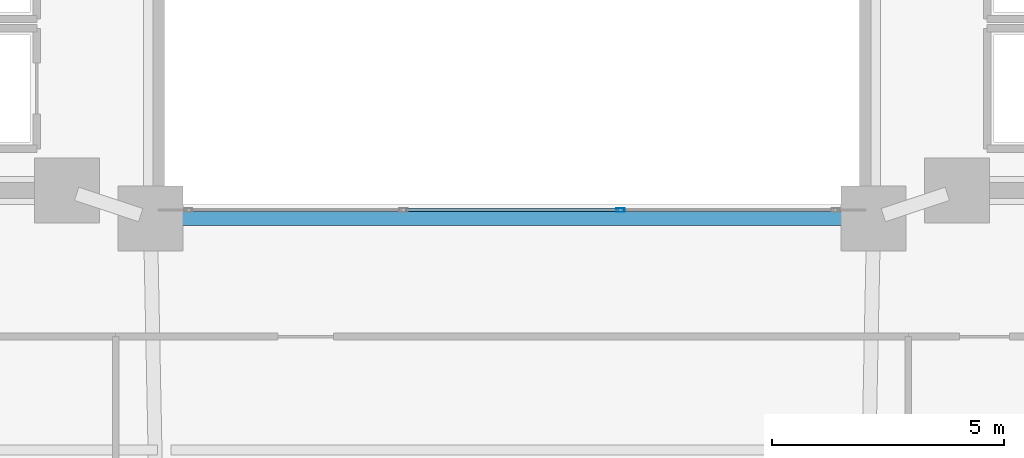
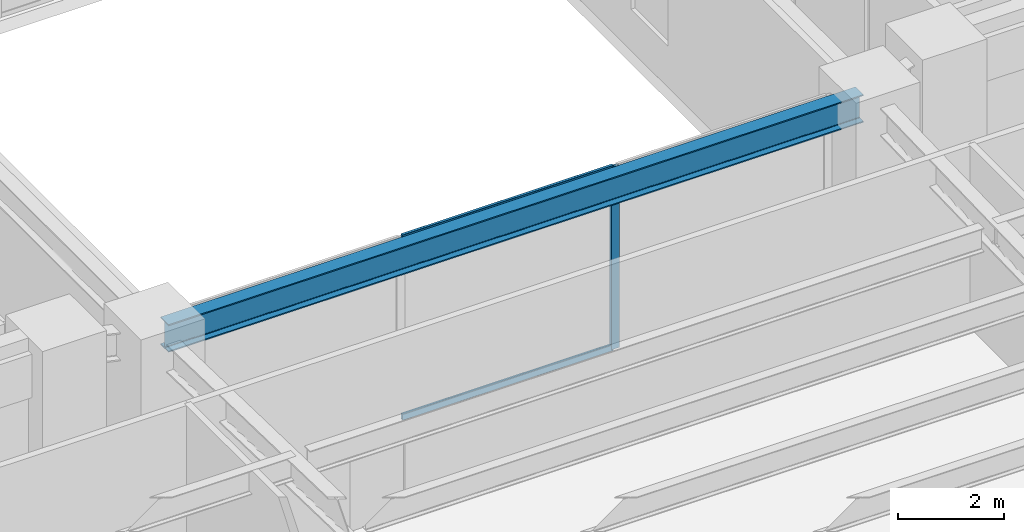
# One storey, part 9 of 40: 3 members, 1 beam, 1 element without a shape of its own.
"""IFC4 building model written with IfcOpenShell, lengths in metres."""

from ifc_helpers import new_model, si_unit, direction, frame, origin, origin_2d, place, context, subcontext, project, spatial, hollow_rectangle, i_section, extrude, material, layer, layer_set, material_profile, profile_set, type_object, element, aggregate, save


model = new_model("IFC4")

# Units and contexts
model_context = context("Model", 3, precision=1e-05, world=origin(), true_north=direction((0.0, 1.0)))
body_context = subcontext(model_context, "Body", "Model", "MODEL_VIEW")
ifc_project = project(units=[si_unit("LENGTHUNIT", "METRE"), si_unit("AREAUNIT", "SQUARE_METRE"), si_unit("VOLUMEUNIT", "CUBIC_METRE"), si_unit("PLANEANGLEUNIT", "RADIAN"), si_unit("MASSUNIT", "GRAM", prefix="KILO")], contexts=[model_context])

# Site, building, storey
site_placement = place(None, origin())
site = spatial("IfcSite", under=ifc_project, at=site_placement, CompositionType="ELEMENT")
building_placement = place(site_placement, origin())
building = spatial("IfcBuilding", under=site, at=building_placement, Name="Tarnavaz Court Tower", CompositionType="ELEMENT")
storey_placement = place(building_placement, frame((0.0, 0.0, 64.199951171875)))
storey = spatial("IfcBuildingStorey", under=building, at=storey_placement, Name="L17", CompositionType="ELEMENT", Elevation=64.199951171875)

# Beam
ifc_material_1 = material(Name="Steel S355", Category="steel")
ifc_material_profile_1 = material_profile(ifc_material_1, i_section(OverallWidth=0.300048828125, OverallDepth=0.639892578125, WebThickness=0.013427734375, FlangeThickness=0.02587890625, FilletRadius=0.027099609375, at=origin_2d()), Name="HEA 650")
ifc_profile_set_1 = profile_set([ifc_material_profile_1], Name="Steel S355")
beam_type = type_object("IfcBeamType", Name="BM-SP-HEA650", PredefinedType="SPANDREL", material=ifc_profile_set_1)
beam_placement = place(storey_placement, frame((-7.580078125, -7.800048828125, 3.880126953125), z_axis=(1.0, 0.0, 0.0), x_axis=(0.0, 1.0, 0.0)))
element("IfcBeam", 1, at=beam_placement, inside=storey, type_object=beam_type, Name="L17 Beam IN-IW-SW-IW-SE", PredefinedType="SPANDREL", context=body_context, shape_type="SweptSolid", body=[
    extrude(i_section(OverallWidth=0.300048828125, OverallDepth=0.639892578125, WebThickness=0.013427734375, FlangeThickness=0.02587890625, FilletRadius=0.027099609375, at=origin_2d()), origin(), (0.0, 0.0, 1.0), 15.16015625),
])

# Curtain wall, members
ifc_material_2 = material(Name="Anodised Aluminium 6063-T6 and Solar Low-E Glazing", Category="aluminium")
ifc_layer = layer(ifc_material_2, 0.139892578125)
ifc_layer_set = layer_set([ifc_layer], Name="Anodised Aluminium 6063-T6 and Solar Low-E Glazing")
curtain_wall_type = type_object("IfcCurtainWallType", Name="CW-SYS-04", PredefinedType="NOTDEFINED", material=ifc_layer_set)
curtain_wall_placement = place(storey_placement, origin())
curtain_wall = element("IfcCurtainWall", 2, at=curtain_wall_placement, inside=storey, type_object=curtain_wall_type, Name="L17 Badgir Courtyard Curtain Wall S", PredefinedType="NOTDEFINED")
ifc_material_3 = material(Name="Anodised Aluminium 6063-T6", Category="aluminium")
ifc_material_profile_2 = material_profile(ifc_material_3, hollow_rectangle(XDim=0.074951171875, YDim=0.179931640625, WallThickness=0.0048828125, InnerFilletRadius=0.0048828125, OuterFilletRadius=0.010009765625, at=origin_2d()), Name="ALU RHS 180X75X5")
ifc_profile_set_2 = profile_set([ifc_material_profile_2], Name="Anodised Aluminium 6063-T6")
member_type_1 = type_object("IfcMemberType", Name="CW-MUL-180", PredefinedType="MULLION", material=ifc_profile_set_2)
member_1_placement = place(storey_placement, frame((2.340087890625, -7.6201171875, 0.0), z_axis=(0.0, 0.0, 1.0), x_axis=(0.0, 1.0, 0.0)))
member_1 = element("IfcMember", 3, at=member_1_placement, type_object=member_type_1, Name="CW mullion 3", PredefinedType="MULLION", context=body_context, shape_type="SweptSolid", body=[
    extrude(hollow_rectangle(XDim=0.074951171875, YDim=0.179931640625, WallThickness=0.0048828125, InnerFilletRadius=0.0048828125, OuterFilletRadius=0.010009765625, at=origin_2d()), origin(), (0.0, 0.0, 1.0), 4.199951171875),
])
ifc_material_profile_3 = material_profile(ifc_material_3, hollow_rectangle(XDim=0.06494140625, YDim=0.139892578125, WallThickness=0.00390625, InnerFilletRadius=0.00390625, OuterFilletRadius=0.008056640625, at=origin_2d()), Name="ALU RHS 140X65X4")
ifc_profile_set_3 = profile_set([ifc_material_profile_3], Name="Anodised Aluminium 6063-T6")
member_type_2 = type_object("IfcMemberType", Name="CW-TRN-140", PredefinedType="USERDEFINED", material=ifc_profile_set_3)
member_2_placement = place(storey_placement, frame((-2.302490234375, -7.6201171875, 0.032470703125), z_axis=(1.0, 0.0, 0.0), x_axis=(0.0, 1.0, 0.0)))
member_2 = element("IfcMember", 4, at=member_2_placement, type_object=member_type_2, Name="CW transom 2.1", ObjectType="TRANSOM", PredefinedType="USERDEFINED", context=body_context, shape_type="SweptSolid", body=[
    extrude(hollow_rectangle(XDim=0.06494140625, YDim=0.139892578125, WallThickness=0.00390625, InnerFilletRadius=0.00390625, OuterFilletRadius=0.008056640625, at=origin_2d()), origin(), (0.0, 0.0, 1.0), 4.60498046875),
])
member_3_placement = place(storey_placement, frame((-2.302490234375, -7.6201171875, 4.16748046875), z_axis=(1.0, 0.0, 0.0), x_axis=(0.0, 1.0, 0.0)))
member_3 = element("IfcMember", 5, at=member_3_placement, type_object=member_type_2, Name="CW transom 2.2", ObjectType="TRANSOM", PredefinedType="USERDEFINED", context=body_context, shape_type="SweptSolid", body=[
    extrude(hollow_rectangle(XDim=0.06494140625, YDim=0.139892578125, WallThickness=0.00390625, InnerFilletRadius=0.00390625, OuterFilletRadius=0.008056640625, at=origin_2d()), origin(), (0.0, 0.0, 1.0), 4.60498046875),
])
aggregate(curtain_wall, [member_1, member_2, member_3])

save(model, "model.ifc")
